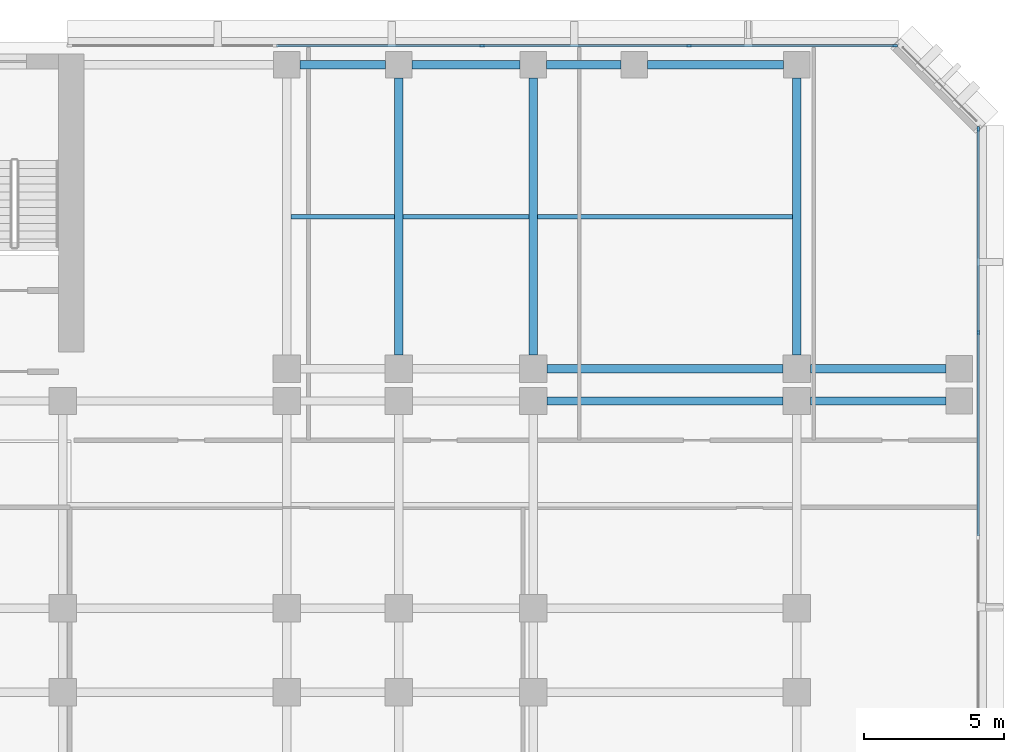
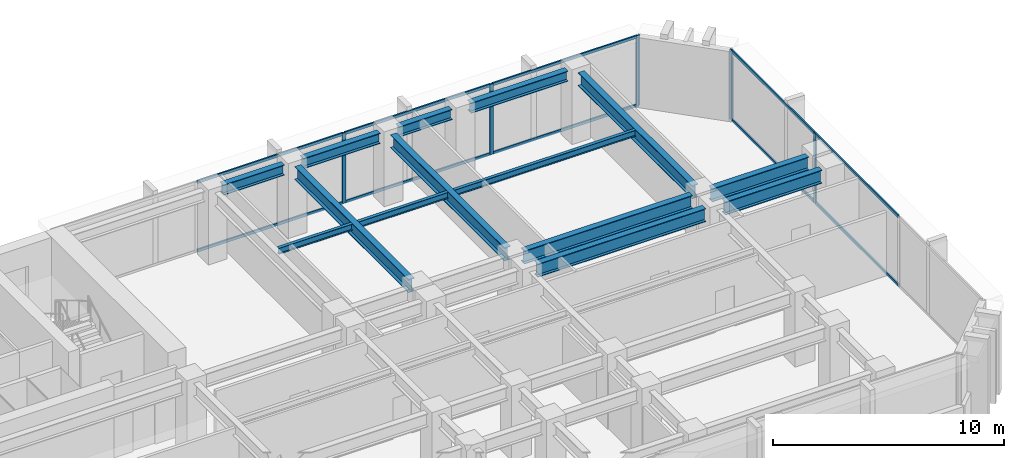
# One storey, part 5 of 14: 15 members, 14 beams, 2 elements without a shape of their own.
"""IFC4 building model written with IfcOpenShell, lengths in metres."""

from ifc_helpers import new_model, si_unit, direction, frame, origin, origin_2d, place, context, subcontext, project, spatial, rectangle, i_section, extrude, material, layer, layer_set, material_profile, profile_set, type_object, element, aggregate, save


model = new_model("IFC4")

# Units and contexts
model_context = context("Model", 3, precision=1e-05, world=origin(), true_north=direction((0.0, 1.0)))
body_context = subcontext(model_context, "Body", "Model", "MODEL_VIEW")
ifc_project = project(units=[si_unit("LENGTHUNIT", "METRE"), si_unit("AREAUNIT", "SQUARE_METRE"), si_unit("VOLUMEUNIT", "CUBIC_METRE"), si_unit("PLANEANGLEUNIT", "RADIAN"), si_unit("MASSUNIT", "GRAM", prefix="KILO")], contexts=[model_context])

# Site, building, storey
site_placement = place(None, origin())
site = spatial("IfcSite", under=ifc_project, at=site_placement, CompositionType="ELEMENT")
building_placement = place(site_placement, origin())
building = spatial("IfcBuilding", under=site, at=building_placement, Name="Kefirva Bronze Tower", CompositionType="ELEMENT")
storey_placement = place(building_placement, frame((0.0, 0.0, 42.239990234375)))
storey = spatial("IfcBuildingStorey", under=building, at=storey_placement, Name="L09", CompositionType="ELEMENT", Elevation=42.239990234375)

# Curtain wall, members
ifc_material_1 = material(Name="Bronze anodised aluminium", Category="aluminium")
ifc_layer = layer(ifc_material_1, 0.199951171875, Name="Bronze anodised aluminium")
ifc_layer_set = layer_set([ifc_layer], Name="Bronze anodised aluminium")
curtain_wall_type = type_object("IfcCurtainWallType", Name="Unitised Bronze Ribbon Curtain Wall Zone 1", PredefinedType="USERDEFINED", material=ifc_layer_set)
curtain_wall_1_placement = place(storey_placement, origin())
curtain_wall_1 = element("IfcCurtainWall", 1, at=curtain_wall_1_placement, inside=storey, type_object=curtain_wall_type, Name="L09 Curtain Wall 3", ObjectType="UNITISED CURTAIN WALL", PredefinedType="USERDEFINED")
ifc_material_profile_1 = material_profile(ifc_material_1, rectangle(XDim=0.074951171875, YDim=0.179931640625, at=origin_2d()), Name="ALU 75x180")
ifc_profile_set_1 = profile_set([ifc_material_profile_1], Name="Bronze anodised aluminium")
member_type_1 = type_object("IfcMemberType", Name="Bronze Mullion 75x180", PredefinedType="MULLION", material=ifc_profile_set_1)
member_1_placement = place(storey_placement, frame((55.8798828125, 35.6484375, 0.0), z_axis=(0.0, 0.0, 1.0), x_axis=(-1.0, 0.0, 0.0)))
member_1 = element("IfcMember", 2, at=member_1_placement, type_object=member_type_1, Name="CW-01 mullion 3", PredefinedType="MULLION", context=body_context, shape_type="SweptSolid", body=[
    extrude(rectangle(XDim=0.074951171875, YDim=0.179931640625, at=origin_2d()), origin(), (0.0, 0.0, 1.0), 3.7099609375),
])
member_2_placement = place(storey_placement, frame((55.8798828125, 42.907470703125, 0.0), z_axis=(0.0, 0.0, 1.0), x_axis=(-1.0, 0.0, 0.0)))
member_2 = element("IfcMember", 3, at=member_2_placement, type_object=member_type_1, Name="CW-01 mullion 4", PredefinedType="MULLION", context=body_context, shape_type="SweptSolid", body=[
    extrude(rectangle(XDim=0.074951171875, YDim=0.179931640625, at=origin_2d()), origin(), (0.0, 0.0, 1.0), 3.7099609375),
])

curtain_wall_2_placement = place(storey_placement, origin())
curtain_wall_2 = element("IfcCurtainWall", 4, at=curtain_wall_2_placement, inside=storey, type_object=curtain_wall_type, Name="L09 Curtain Wall 4", ObjectType="UNITISED CURTAIN WALL", PredefinedType="USERDEFINED")
member_3_placement = place(storey_placement, frame((52.907470703125, 45.8798828125, 0.0), z_axis=(0.0, 0.0, 1.0), x_axis=(0.0, -1.0, 0.0)))
member_3 = element("IfcMember", 5, at=member_3_placement, type_object=member_type_1, Name="CW-01 mullion 1", PredefinedType="MULLION", context=body_context, shape_type="SweptSolid", body=[
    extrude(rectangle(XDim=0.074951171875, YDim=0.179931640625, at=origin_2d()), origin(), (0.0, 0.0, 1.0), 3.7099609375),
])
member_4_placement = place(storey_placement, frame((45.56005859375, 45.8798828125, 0.0), z_axis=(0.0, 0.0, 1.0), x_axis=(0.0, -1.0, 0.0)))
member_4 = element("IfcMember", 6, at=member_4_placement, type_object=member_type_1, Name="CW-01 mullion 2", PredefinedType="MULLION", context=body_context, shape_type="SweptSolid", body=[
    extrude(rectangle(XDim=0.074951171875, YDim=0.179931640625, at=origin_2d()), origin(), (0.0, 0.0, 1.0), 3.7099609375),
])
member_5_placement = place(storey_placement, frame((38.175048828125, 45.8798828125, 0.0), z_axis=(0.0, 0.0, 1.0), x_axis=(0.0, -1.0, 0.0)))
member_5 = element("IfcMember", 7, at=member_5_placement, type_object=member_type_1, Name="CW-01 mullion 3", PredefinedType="MULLION", context=body_context, shape_type="SweptSolid", body=[
    extrude(rectangle(XDim=0.074951171875, YDim=0.179931640625, at=origin_2d()), origin(), (0.0, 0.0, 1.0), 3.7099609375),
])

# Member
ifc_material_profile_2 = material_profile(ifc_material_1, rectangle(XDim=0.074951171875, YDim=0.14990234375, at=origin_2d()), Name="ALU 75x150")
ifc_profile_set_2 = profile_set([ifc_material_profile_2], Name="Bronze anodised aluminium")
member_type_2 = type_object("IfcMemberType", Name="Bronze Transom 75x150", PredefinedType="USERDEFINED", material=ifc_profile_set_2)
member_6_placement = place(storey_placement, frame((55.8798828125, 28.38916015625, 0.03759765625), z_axis=(0.0, 1.0, 0.0), x_axis=(-1.0, 0.0, 0.0)))
member_6 = element("IfcMember", 8, at=member_6_placement, type_object=member_type_2, Name="CW-01 transom 2.1", ObjectType="TRANSOM", PredefinedType="USERDEFINED", context=body_context, shape_type="SweptSolid", body=[
    extrude(rectangle(XDim=0.074951171875, YDim=0.14990234375, at=origin_2d()), origin(), (0.0, 0.0, 1.0), 7.2216796875),
])

member_7_placement = place(storey_placement, frame((55.8798828125, 28.38916015625, 3.672607421875), z_axis=(0.0, 1.0, 0.0), x_axis=(-1.0, 0.0, 0.0)))
member_7 = element("IfcMember", 9, at=member_7_placement, type_object=member_type_2, Name="CW-01 transom 2.2", ObjectType="TRANSOM", PredefinedType="USERDEFINED", context=body_context, shape_type="SweptSolid", body=[
    extrude(rectangle(XDim=0.074951171875, YDim=0.14990234375, at=origin_2d()), origin(), (0.0, 0.0, 1.0), 7.2216796875),
])

member_8_placement = place(storey_placement, frame((55.8798828125, 35.685791015625, 0.03759765625), z_axis=(0.0, 1.0, 0.0), x_axis=(-1.0, 0.0, 0.0)))
member_8 = element("IfcMember", 10, at=member_8_placement, type_object=member_type_2, Name="CW-01 transom 3.1", ObjectType="TRANSOM", PredefinedType="USERDEFINED", context=body_context, shape_type="SweptSolid", body=[
    extrude(rectangle(XDim=0.074951171875, YDim=0.14990234375, at=origin_2d()), origin(), (0.0, 0.0, 1.0), 7.184326171875),
])

member_9_placement = place(storey_placement, frame((55.8798828125, 35.685791015625, 3.672607421875), z_axis=(0.0, 1.0, 0.0), x_axis=(-1.0, 0.0, 0.0)))
member_9 = element("IfcMember", 11, at=member_9_placement, type_object=member_type_2, Name="CW-01 transom 3.2", ObjectType="TRANSOM", PredefinedType="USERDEFINED", context=body_context, shape_type="SweptSolid", body=[
    extrude(rectangle(XDim=0.074951171875, YDim=0.14990234375, at=origin_2d()), origin(), (0.0, 0.0, 1.0), 7.184326171875),
])

aggregate(curtain_wall_1, [member_1, member_2, member_6, member_7, member_8, member_9])

member_10_placement = place(storey_placement, frame((52.8701171875, 45.8798828125, 0.03759765625), z_axis=(-1.0, 0.0, 0.0), x_axis=(0.0, -1.0, 0.0)))
member_10 = element("IfcMember", 12, at=member_10_placement, type_object=member_type_2, Name="CW-01 transom 1.1", ObjectType="TRANSOM", PredefinedType="USERDEFINED", context=body_context, shape_type="SweptSolid", body=[
    extrude(rectangle(XDim=0.074951171875, YDim=0.14990234375, at=origin_2d()), origin(), (0.0, 0.0, 1.0), 7.272705078125),
])

member_11_placement = place(storey_placement, frame((52.8701171875, 45.8798828125, 3.672607421875), z_axis=(-1.0, 0.0, 0.0), x_axis=(0.0, -1.0, 0.0)))
member_11 = element("IfcMember", 13, at=member_11_placement, type_object=member_type_2, Name="CW-01 transom 1.2", ObjectType="TRANSOM", PredefinedType="USERDEFINED", context=body_context, shape_type="SweptSolid", body=[
    extrude(rectangle(XDim=0.074951171875, YDim=0.14990234375, at=origin_2d()), origin(), (0.0, 0.0, 1.0), 7.272705078125),
])

member_12_placement = place(storey_placement, frame((45.5224609375, 45.8798828125, 0.03759765625), z_axis=(-1.0, 0.0, 0.0), x_axis=(0.0, -1.0, 0.0)))
member_12 = element("IfcMember", 14, at=member_12_placement, type_object=member_type_2, Name="CW-01 transom 2.1", ObjectType="TRANSOM", PredefinedType="USERDEFINED", context=body_context, shape_type="SweptSolid", body=[
    extrude(rectangle(XDim=0.074951171875, YDim=0.14990234375, at=origin_2d()), origin(), (0.0, 0.0, 1.0), 7.31005859375),
])

member_13_placement = place(storey_placement, frame((45.5224609375, 45.8798828125, 3.672607421875), z_axis=(-1.0, 0.0, 0.0), x_axis=(0.0, -1.0, 0.0)))
member_13 = element("IfcMember", 15, at=member_13_placement, type_object=member_type_2, Name="CW-01 transom 2.2", ObjectType="TRANSOM", PredefinedType="USERDEFINED", context=body_context, shape_type="SweptSolid", body=[
    extrude(rectangle(XDim=0.074951171875, YDim=0.14990234375, at=origin_2d()), origin(), (0.0, 0.0, 1.0), 7.31005859375),
])

member_14_placement = place(storey_placement, frame((38.137451171875, 45.8798828125, 0.03759765625), z_axis=(-1.0, 0.0, 0.0), x_axis=(0.0, -1.0, 0.0)))
member_14 = element("IfcMember", 16, at=member_14_placement, type_object=member_type_2, Name="CW-01 transom 3.1", ObjectType="TRANSOM", PredefinedType="USERDEFINED", context=body_context, shape_type="SweptSolid", body=[
    extrude(rectangle(XDim=0.074951171875, YDim=0.14990234375, at=origin_2d()), origin(), (0.0, 0.0, 1.0), 7.31005859375),
])

member_15_placement = place(storey_placement, frame((38.137451171875, 45.8798828125, 3.672607421875), z_axis=(-1.0, 0.0, 0.0), x_axis=(0.0, -1.0, 0.0)))
member_15 = element("IfcMember", 17, at=member_15_placement, type_object=member_type_2, Name="CW-01 transom 3.2", ObjectType="TRANSOM", PredefinedType="USERDEFINED", context=body_context, shape_type="SweptSolid", body=[
    extrude(rectangle(XDim=0.074951171875, YDim=0.14990234375, at=origin_2d()), origin(), (0.0, 0.0, 1.0), 7.31005859375),
])

aggregate(curtain_wall_2, [member_3, member_4, member_5, member_10, member_11, member_12, member_13, member_14, member_15])

# Beams
ifc_material_2 = material(Name="Steel S355", Category="steel")
ifc_material_profile_3 = material_profile(ifc_material_2, i_section(OverallWidth=0.159912109375, OverallDepth=0.330078125, WebThickness=0.007568359375, FlangeThickness=0.011474609375, at=origin_2d()), Name="IPE 330")
ifc_profile_set_3 = profile_set([ifc_material_profile_3], Name="Steel S355")
beam_type_1 = type_object("IfcBeamType", Name="Steel Floor Joist IPE 330", PredefinedType="JOIST", material=ifc_profile_set_3)
beam_1_placement = place(storey_placement, frame((31.35009765625, 39.784912109375, 3.544921875), z_axis=(1.0, 0.0, 0.0), x_axis=(0.0, 1.0, 0.0)))
element("IfcBeam", 18, at=beam_1_placement, inside=storey, type_object=beam_type_1, Name="L09 JST-L09-31-397", PredefinedType="JOIST", context=body_context, shape_type="SweptSolid", body=[
    extrude(i_section(OverallWidth=0.159912109375, OverallDepth=0.330078125, WebThickness=0.007568359375, FlangeThickness=0.011474609375, at=origin_2d()), origin(), (0.0, 0.0, 1.0), 3.699951171875),
])
beam_2_placement = place(storey_placement, frame((35.35009765625, 39.784912109375, 3.544921875), z_axis=(1.0, 0.0, 0.0), x_axis=(0.0, 1.0, 0.0)))
element("IfcBeam", 19, at=beam_2_placement, inside=storey, type_object=beam_type_1, Name="L09 JST-L09-35-397", PredefinedType="JOIST", context=body_context, shape_type="SweptSolid", body=[
    extrude(i_section(OverallWidth=0.159912109375, OverallDepth=0.330078125, WebThickness=0.007568359375, FlangeThickness=0.011474609375, at=origin_2d()), origin(), (0.0, 0.0, 1.0), 4.5),
])
beam_3_placement = place(storey_placement, frame((40.14990234375, 39.784912109375, 3.544921875), z_axis=(1.0, 0.0, 0.0), x_axis=(0.0, 1.0, 0.0)))
element("IfcBeam", 20, at=beam_3_placement, inside=storey, type_object=beam_type_1, Name="L09 JST-L09-40-397", PredefinedType="JOIST", context=body_context, shape_type="SweptSolid", body=[
    extrude(i_section(OverallWidth=0.159912109375, OverallDepth=0.330078125, WebThickness=0.007568359375, FlangeThickness=0.011474609375, at=origin_2d()), origin(), (0.0, 0.0, 1.0), 9.10009765625),
])
ifc_material_profile_4 = material_profile(ifc_material_2, i_section(OverallWidth=0.300048828125, OverallDepth=0.699951171875, WebThickness=0.01708984375, FlangeThickness=0.031982421875, at=origin_2d()), Name="HEB 700")
ifc_profile_set_4 = profile_set([ifc_material_profile_4], Name="Steel S355")
beam_type_2 = type_object("IfcBeamType", Name="Steel Girder HEB 700", PredefinedType="USERDEFINED", material=ifc_profile_set_4)
beam_4_placement = place(storey_placement, frame((40.489990234375, 33.199951171875, 3.360107421875), z_axis=(1.0, 0.0, 0.0), x_axis=(0.0, 1.0, 0.0)))
element("IfcBeam", 21, at=beam_4_placement, inside=storey, type_object=beam_type_2, Name="L09 BM-L09-EW-40-332", ObjectType="GIRDER", PredefinedType="USERDEFINED", context=body_context, shape_type="SweptSolid", body=[
    extrude(i_section(OverallWidth=0.300048828125, OverallDepth=0.699951171875, WebThickness=0.01708984375, FlangeThickness=0.031982421875, at=origin_2d()), origin(), (0.0, 0.0, 1.0), 8.419921875),
])
beam_5_placement = place(storey_placement, frame((49.889892578125, 33.199951171875, 3.360107421875), z_axis=(1.0, 0.0, 0.0), x_axis=(0.0, 1.0, 0.0)))
element("IfcBeam", 22, at=beam_5_placement, inside=storey, type_object=beam_type_2, Name="L09 BM-L09-EW-49-332", ObjectType="GIRDER", PredefinedType="USERDEFINED", context=body_context, shape_type="SweptSolid", body=[
    extrude(i_section(OverallWidth=0.300048828125, OverallDepth=0.699951171875, WebThickness=0.01708984375, FlangeThickness=0.031982421875, at=origin_2d()), origin(), (0.0, 0.0, 1.0), 4.840087890625),
])
beam_6_placement = place(storey_placement, frame((40.489990234375, 34.35009765625, 3.360107421875), z_axis=(1.0, 0.0, 0.0), x_axis=(0.0, 1.0, 0.0)))
element("IfcBeam", 23, at=beam_6_placement, inside=storey, type_object=beam_type_2, Name="L09 BM-L09-EW-40-344", ObjectType="GIRDER", PredefinedType="USERDEFINED", context=body_context, shape_type="SweptSolid", body=[
    extrude(i_section(OverallWidth=0.300048828125, OverallDepth=0.699951171875, WebThickness=0.01708984375, FlangeThickness=0.031982421875, at=origin_2d()), origin(), (0.0, 0.0, 1.0), 8.419921875),
])
beam_7_placement = place(storey_placement, frame((49.889892578125, 34.35009765625, 3.360107421875), z_axis=(1.0, 0.0, 0.0), x_axis=(0.0, 1.0, 0.0)))
element("IfcBeam", 24, at=beam_7_placement, inside=storey, type_object=beam_type_2, Name="L09 BM-L09-EW-49-344", ObjectType="GIRDER", PredefinedType="USERDEFINED", context=body_context, shape_type="SweptSolid", body=[
    extrude(i_section(OverallWidth=0.300048828125, OverallDepth=0.699951171875, WebThickness=0.01708984375, FlangeThickness=0.031982421875, at=origin_2d()), origin(), (0.0, 0.0, 1.0), 4.840087890625),
])
for number, where, z_axis, x_axis, name in (
    (25, (35.199951171875, 34.840087890625, 3.360107421875), (0.0, 1.0, 0.0), (-1.0, 0.0, 0.0), "L09 BM-L09-NS-352-34"),
    (26, (40.0, 34.840087890625, 3.360107421875), (0.0, 1.0, 0.0), (-1.0, 0.0, 0.0), "L09 BM-L09-NS-400-34"),
    (27, (49.39990234375, 34.840087890625, 3.360107421875), (0.0, 1.0, 0.0), (-1.0, 0.0, 0.0), "L09 BM-L09-NS-494-34"),
):
    element("IfcBeam", number, at=place(storey_placement, frame(where, z_axis=z_axis, x_axis=x_axis)), inside=storey, type_object=beam_type_2, Name=name, ObjectType="GIRDER", PredefinedType="USERDEFINED", context=body_context, shape_type="SweptSolid", body=[
        extrude(i_section(OverallWidth=0.300048828125, OverallDepth=0.699951171875, WebThickness=0.01708984375, FlangeThickness=0.031982421875, at=origin_2d()), origin(), (0.0, 0.0, 1.0), 9.889892578125),
    ])
ifc_material_profile_5 = material_profile(ifc_material_2, i_section(OverallWidth=0.300048828125, OverallDepth=0.550048828125, WebThickness=0.014892578125, FlangeThickness=0.029052734375, at=origin_2d()), Name="HEB 550")
ifc_profile_set_5 = profile_set([ifc_material_profile_5], Name="Steel S355")
beam_type_3 = type_object("IfcBeamType", Name="Steel Spandrel HEB 550 Ext", PredefinedType="SPANDREL", material=ifc_profile_set_5)
beam_8_placement = place(storey_placement, frame((31.669921875, 45.199951171875, 3.43505859375), z_axis=(1.0, 0.0, 0.0), x_axis=(0.0, 1.0, 0.0)))
element("IfcBeam", 28, at=beam_8_placement, inside=storey, type_object=beam_type_3, Name="L09 BM-L09-EW-31-452", PredefinedType="SPANDREL", context=body_context, shape_type="SweptSolid", body=[
    extrude(i_section(OverallWidth=0.300048828125, OverallDepth=0.550048828125, WebThickness=0.014892578125, FlangeThickness=0.029052734375, at=origin_2d()), origin(), (0.0, 0.0, 1.0), 3.06005859375),
])
beam_9_placement = place(storey_placement, frame((35.669921875, 45.199951171875, 3.43505859375), z_axis=(1.0, 0.0, 0.0), x_axis=(0.0, 1.0, 0.0)))
element("IfcBeam", 29, at=beam_9_placement, inside=storey, type_object=beam_type_3, Name="L09 BM-L09-EW-35-452", PredefinedType="SPANDREL", context=body_context, shape_type="SweptSolid", body=[
    extrude(i_section(OverallWidth=0.300048828125, OverallDepth=0.550048828125, WebThickness=0.014892578125, FlangeThickness=0.029052734375, at=origin_2d()), origin(), (0.0, 0.0, 1.0), 3.860107421875),
])
beam_10_placement = place(storey_placement, frame((40.469970703125, 45.199951171875, 3.43505859375), z_axis=(1.0, 0.0, 0.0), x_axis=(0.0, 1.0, 0.0)))
element("IfcBeam", 30, at=beam_10_placement, inside=storey, type_object=beam_type_3, Name="L09 BM-L09-EW-40-452", PredefinedType="SPANDREL", context=body_context, shape_type="SweptSolid", body=[
    extrude(i_section(OverallWidth=0.300048828125, OverallDepth=0.550048828125, WebThickness=0.014892578125, FlangeThickness=0.029052734375, at=origin_2d()), origin(), (0.0, 0.0, 1.0), 2.659912109375),
])
beam_11_placement = place(storey_placement, frame((44.070068359375, 45.199951171875, 3.43505859375), z_axis=(1.0, 0.0, 0.0), x_axis=(0.0, 1.0, 0.0)))
element("IfcBeam", 31, at=beam_11_placement, inside=storey, type_object=beam_type_3, Name="L09 BM-L09-EW-43-452", PredefinedType="SPANDREL", context=body_context, shape_type="SweptSolid", body=[
    extrude(i_section(OverallWidth=0.300048828125, OverallDepth=0.550048828125, WebThickness=0.014892578125, FlangeThickness=0.029052734375, at=origin_2d()), origin(), (0.0, 0.0, 1.0), 4.85986328125),
])

save(model, "model.ifc")
